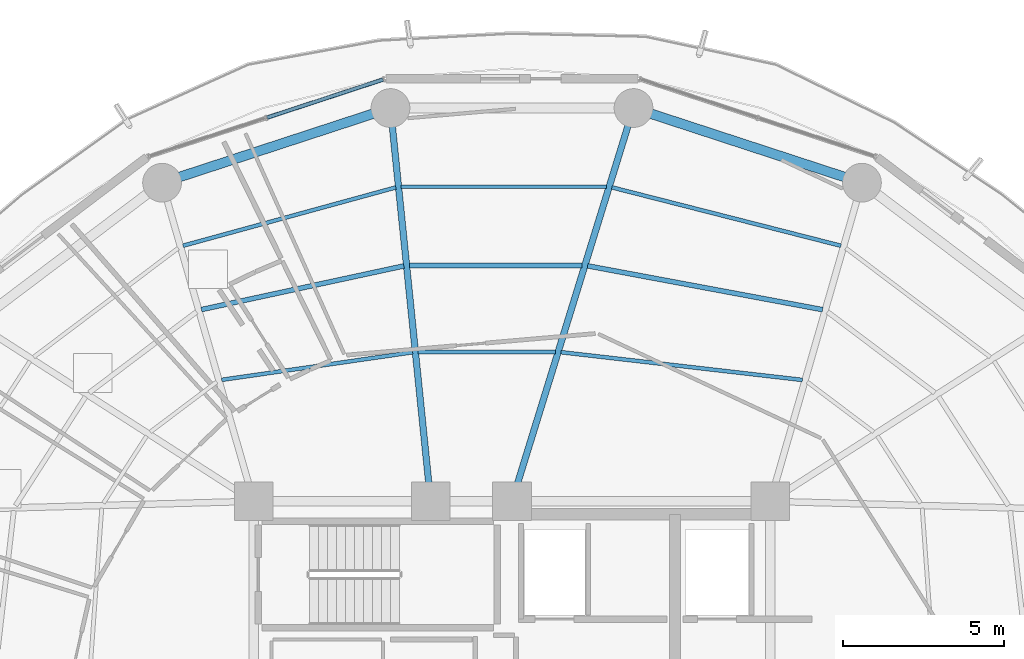
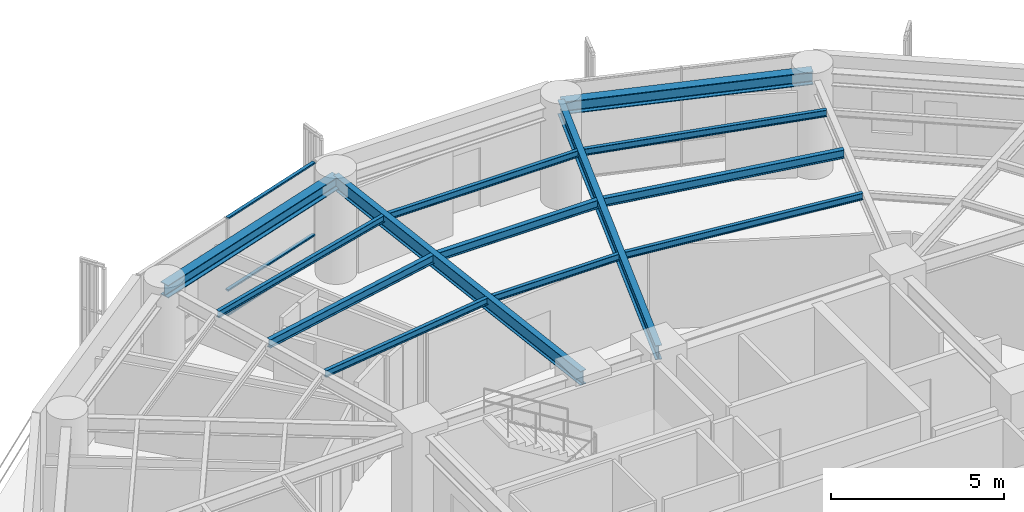
# One storey, part 17 of 28: 13 beams, 3 members, 1 element without a shape of its own.
"""IFC4 building model written with IfcOpenShell, lengths in metres."""

from ifc_helpers import new_model, si_unit, direction, frame, origin, origin_2d, place, context, subcontext, project, spatial, hollow_rectangle, i_section, extrude, material, layer, layer_set, material_profile, profile_set, type_object, element, aggregate, save


model = new_model("IFC4")

# Units and contexts
model_context = context("Model", 3, precision=1e-05, world=origin(), true_north=direction((0.0, 1.0)))
body_context = subcontext(model_context, "Body", "Model", "MODEL_VIEW")
ifc_project = project(units=[si_unit("LENGTHUNIT", "METRE"), si_unit("AREAUNIT", "SQUARE_METRE"), si_unit("VOLUMEUNIT", "CUBIC_METRE"), si_unit("PLANEANGLEUNIT", "RADIAN"), si_unit("MASSUNIT", "GRAM", prefix="KILO")], contexts=[model_context])

# Site, building, storey
site_placement = place(None, origin())
site = spatial("IfcSite", under=ifc_project, at=site_placement, CompositionType="ELEMENT")
building_placement = place(site_placement, origin())
building = spatial("IfcBuilding", under=site, at=building_placement, Name="Kelanora Arch Commons", CompositionType="ELEMENT")
storey_placement = place(building_placement, frame((0.0, 0.0, 180.60009765625)))
storey = spatial("IfcBuildingStorey", under=building, at=storey_placement, Name="L46", CompositionType="ELEMENT", Elevation=180.60009765625)

# Beams
ifc_material_1 = material(Name="Steel S355", Category="steel")
ifc_material_profile_1 = material_profile(ifc_material_1, i_section(OverallWidth=0.14990234375, OverallDepth=0.300048828125, WebThickness=0.007080078125, FlangeThickness=0.0107421875, FilletRadius=0.014892578125, at=origin_2d()), Name="IPE300")
ifc_profile_set_1 = profile_set([ifc_material_profile_1], Name="Steel S355")
beam_type_1 = type_object("IfcBeamType", Name="BM-JST-01", PredefinedType="JOIST", material=ifc_profile_set_1)
beam_1_placement = place(storey_placement, frame((83.620361328125, 70.937744140625, 3.33984375), z_axis=(-0.983054256126, 0.183314837134, 0.0), x_axis=(-0.183314837134, -0.983054256126, 0.0)))
element("IfcBeam", 1, at=beam_1_placement, inside=storey, type_object=beam_type_1, Name="Secondary Chord Joist BJB-06 L46", PredefinedType="JOIST", context=body_context, shape_type="SweptSolid", body=[
    extrude(i_section(OverallWidth=0.14990234375, OverallDepth=0.300048828125, WebThickness=0.007080078125, FlangeThickness=0.0107421875, FilletRadius=0.014892578125, at=origin_2d()), origin(), (0.0, 0.0, 1.0), 7.403564453125),
])
beam_2_placement = place(storey_placement, frame((76.173828125, 72.310546875, 3.33984375), z_axis=(-1.0, 0.0, 0.0), x_axis=(0.0, -1.0, 0.0)))
element("IfcBeam", 2, at=beam_2_placement, inside=storey, type_object=beam_type_1, Name="Secondary Chord Joist BJB-08 L46", PredefinedType="JOIST", context=body_context, shape_type="SweptSolid", body=[
    extrude(i_section(OverallWidth=0.14990234375, OverallDepth=0.300048828125, WebThickness=0.007080078125, FlangeThickness=0.0107421875, FilletRadius=0.014892578125, at=origin_2d()), origin(), (0.0, 0.0, 1.0), 5.355712890625),
])
beam_3_placement = place(storey_placement, frame((70.650146484375, 72.29248046875, 3.33984375), z_axis=(-0.977521966827, -0.210833594029, 0.0), x_axis=(0.210833594029, -0.977521966827, 0.0)))
element("IfcBeam", 3, at=beam_3_placement, inside=storey, type_object=beam_type_1, Name="Secondary Chord Joist BJB-10 L46", PredefinedType="JOIST", context=body_context, shape_type="SweptSolid", body=[
    extrude(i_section(OverallWidth=0.14990234375, OverallDepth=0.300048828125, WebThickness=0.007080078125, FlangeThickness=0.0107421875, FilletRadius=0.014892578125, at=origin_2d()), origin(), (0.0, 0.0, 1.0), 6.415283203125),
])
ifc_material_profile_2 = material_profile(ifc_material_1, i_section(OverallWidth=0.1201171875, OverallDepth=0.239990234375, WebThickness=0.006103515625, FlangeThickness=0.009765625, FilletRadius=0.014892578125, at=origin_2d()), Name="IPE240")
ifc_profile_set_2 = profile_set([ifc_material_profile_2], Name="Steel S355")
beam_type_2 = type_object("IfcBeamType", Name="BM-JST-02", PredefinedType="JOIST", material=ifc_profile_set_2)
beam_4_placement = place(storey_placement, frame((82.994873046875, 68.760498046875, 3.369873046875), z_axis=(-0.993457414184, 0.114203179475, 0.0), x_axis=(-0.114203179475, -0.993457414184, 0.0)))
element("IfcBeam", 4, at=beam_4_placement, inside=storey, type_object=beam_type_2, Name="Secondary Chord Joist BJA-06 L46", PredefinedType="JOIST", context=body_context, shape_type="SweptSolid", body=[
    extrude(i_section(OverallWidth=0.1201171875, OverallDepth=0.239990234375, WebThickness=0.006103515625, FlangeThickness=0.009765625, FilletRadius=0.014892578125, at=origin_2d()), origin(), (0.0, 0.0, 1.0), 7.529296875),
])
beam_5_placement = place(storey_placement, frame((84.189697265625, 72.917236328125, 3.369873046875), z_axis=(-0.96900232943, 0.247051584815, 0.0), x_axis=(-0.247051584815, -0.96900232943, 0.0)))
element("IfcBeam", 5, at=beam_5_placement, inside=storey, type_object=beam_type_2, Name="Secondary Chord Joist BJC-06 L46", PredefinedType="JOIST", context=body_context, shape_type="SweptSolid", body=[
    extrude(i_section(OverallWidth=0.1201171875, OverallDepth=0.239990234375, WebThickness=0.006103515625, FlangeThickness=0.009765625, FilletRadius=0.014892578125, at=origin_2d()), origin(), (0.0, 0.0, 1.0), 7.32275390625),
])
beam_6_placement = place(storey_placement, frame((75.345703125, 69.6298828125, 3.369873046875), z_axis=(-1.0, 0.0, 0.0), x_axis=(0.0, -1.0, 0.0)))
element("IfcBeam", 6, at=beam_6_placement, inside=storey, type_object=beam_type_2, Name="Secondary Chord Joist BJA-08 L46", PredefinedType="JOIST", context=body_context, shape_type="SweptSolid", body=[
    extrude(i_section(OverallWidth=0.1201171875, OverallDepth=0.239990234375, WebThickness=0.006103515625, FlangeThickness=0.009765625, FilletRadius=0.014892578125, at=origin_2d()), origin(), (0.0, 0.0, 1.0), 4.253662109375),
])
beam_7_placement = place(storey_placement, frame((76.9267578125, 74.747314453125, 3.369873046875), z_axis=(-1.0, 0.0, 0.0), x_axis=(0.0, -1.0, 0.0)))
element("IfcBeam", 7, at=beam_7_placement, inside=storey, type_object=beam_type_2, Name="Secondary Chord Joist BJC-08 L46", PredefinedType="JOIST", context=body_context, shape_type="SweptSolid", body=[
    extrude(i_section(OverallWidth=0.1201171875, OverallDepth=0.239990234375, WebThickness=0.006103515625, FlangeThickness=0.009765625, FilletRadius=0.014892578125, at=origin_2d()), origin(), (0.0, 0.0, 1.0), 6.357666015625),
])
beam_8_placement = place(storey_placement, frame((70.9228515625, 69.617919921875, 3.369873046875), z_axis=(-0.989718726051, -0.143027421508, 0.0), x_axis=(0.143027421508, -0.989718726051, 0.0)))
element("IfcBeam", 8, at=beam_8_placement, inside=storey, type_object=beam_type_2, Name="Secondary Chord Joist BJA-10 L46", PredefinedType="JOIST", context=body_context, shape_type="SweptSolid", body=[
    extrude(i_section(OverallWidth=0.1201171875, OverallDepth=0.239990234375, WebThickness=0.006103515625, FlangeThickness=0.009765625, FilletRadius=0.014892578125, at=origin_2d()), origin(), (0.0, 0.0, 1.0), 5.9794921875),
])
beam_9_placement = place(storey_placement, frame((70.40234375, 74.724853515625, 3.369873046875), z_axis=(-0.964456541131, -0.264241518824, 0.0), x_axis=(0.264241518824, -0.964456541131, 0.0)))
element("IfcBeam", 9, at=beam_9_placement, inside=storey, type_object=beam_type_2, Name="Secondary Chord Joist BJC-10 L46", PredefinedType="JOIST", context=body_context, shape_type="SweptSolid", body=[
    extrude(i_section(OverallWidth=0.1201171875, OverallDepth=0.239990234375, WebThickness=0.006103515625, FlangeThickness=0.009765625, FilletRadius=0.014892578125, at=origin_2d()), origin(), (0.0, 0.0, 1.0), 6.835205078125),
])
ifc_material_profile_3 = material_profile(ifc_material_1, i_section(OverallWidth=0.199951171875, OverallDepth=0.5, WebThickness=0.01025390625, FlangeThickness=0.01611328125, FilletRadius=0.02099609375, at=origin_2d()), Name="IPE500")
ifc_profile_set_3 = profile_set([ifc_material_profile_3], Name="Steel S355")
beam_type_3 = type_object("IfcBeamType", Name="BM-RAD-Z3", PredefinedType="BEAM", material=ifc_profile_set_3)
beam_10_placement = place(storey_placement, frame((74.0, 65.0, 3.239990234375), z_axis=(0.295210315095, 0.955432294755, 0.0), x_axis=(-0.955432294755, 0.295210315095, 0.0)))
element("IfcBeam", 10, at=beam_10_placement, inside=storey, type_object=beam_type_3, Name="Radial Floor Girder BR-08 L46", PredefinedType="BEAM", context=body_context, shape_type="SweptSolid", body=[
    extrude(i_section(OverallWidth=0.199951171875, OverallDepth=0.5, WebThickness=0.01025390625, FlangeThickness=0.01611328125, FilletRadius=0.02099609375, at=origin_2d()), origin(), (0.0, 0.0, 1.0), 12.75244140625),
])
beam_11_placement = place(storey_placement, frame((71.47998046875, 65.0, 3.239990234375), z_axis=(-0.101623200789, 0.994822961668, 0.0), x_axis=(-0.994822961668, -0.101623200789, 0.0)))
element("IfcBeam", 11, at=beam_11_placement, inside=storey, type_object=beam_type_3, Name="Radial Floor Girder BR-10 L46", PredefinedType="BEAM", context=body_context, shape_type="SweptSolid", body=[
    extrude(i_section(OverallWidth=0.199951171875, OverallDepth=0.5, WebThickness=0.01025390625, FlangeThickness=0.01611328125, FilletRadius=0.02099609375, at=origin_2d()), origin(), (0.0, 0.0, 1.0), 12.24755859375),
])
ifc_material_profile_4 = material_profile(ifc_material_1, i_section(OverallWidth=0.300048828125, OverallDepth=0.449951171875, WebThickness=0.013916015625, FlangeThickness=0.02587890625, FilletRadius=0.027099609375, at=origin_2d()), Name="HEB450")
ifc_profile_set_4 = profile_set([ifc_material_profile_4], Name="Steel S355")
beam_type_4 = type_object("IfcBeamType", Name="BM-SPN-Z3", PredefinedType="SPANDREL", material=ifc_profile_set_4)
for number, where, z_axis, x_axis, name in (
    (12, (84.840087890625, 74.8701171875, 3.264892578125), (-0.950461975786, 0.310840847676, 0.0), (-0.310840847676, -0.950461975786, 0.0), "Perimeter Spandrel Beam BS-06 L46"),
    (13, (70.2353515625, 77.18408203125, 3.264892578125), (-0.950461975786, -0.310840847676, 0.0), (0.310840847676, -0.950461975786, 0.0), "Perimeter Spandrel Beam BS-10 L46"),
):
    element("IfcBeam", number, at=place(storey_placement, frame(where, z_axis=z_axis, x_axis=x_axis)), inside=storey, type_object=beam_type_4, Name=name, PredefinedType="SPANDREL", context=body_context, shape_type="SweptSolid", body=[
        extrude(i_section(OverallWidth=0.300048828125, OverallDepth=0.449951171875, WebThickness=0.013916015625, FlangeThickness=0.02587890625, FilletRadius=0.027099609375, at=origin_2d()), origin(), (0.0, 0.0, 1.0), 7.444091796875),
    ])

# Curtain wall, members
ifc_material_2 = material(Name="Terracotta ceramic-fritted low-E glass and aluminium", Category="masonry")
ifc_layer = layer(ifc_material_2, 0.175048828125)
ifc_layer_set = layer_set([ifc_layer], Name="Terracotta ceramic-fritted low-E glass and aluminium")
curtain_wall_type = type_object("IfcCurtainWallType", Name="CW-SYS-02", PredefinedType="NOTDEFINED", material=ifc_layer_set)
curtain_wall_placement = place(storey_placement, origin())
curtain_wall = element("IfcCurtainWall", 14, at=curtain_wall_placement, inside=storey, type_object=curtain_wall_type, Name="Unitised Curtain Wall L46-B05", PredefinedType="NOTDEFINED")
ifc_material_3 = material(Name="Powder-coated aluminium terracotta", Category="masonry")
ifc_material_profile_5 = material_profile(ifc_material_3, hollow_rectangle(XDim=0.1201171875, YDim=0.06005859375, WallThickness=0.0048828125, InnerFilletRadius=0.0048828125, OuterFilletRadius=0.010009765625, at=origin_2d()), Name="CWT120x60")
ifc_profile_set_5 = profile_set([ifc_material_profile_5], Name="Powder-coated aluminium terracotta")
member_type = type_object("IfcMemberType", Name="CWT-STD", PredefinedType="USERDEFINED", material=ifc_profile_set_5)
member_1_placement = place(storey_placement, frame((70.00439453125, 78.066650390625, 0.02978515625), z_axis=(-0.950051191155, -0.312094111104, 0.0), x_axis=(0.312094111104, -0.950051191155, 0.0)))
member_1 = element("IfcMember", 15, at=member_1_placement, type_object=member_type, Name="CW-02 transom 1.1", ObjectType="TRANSOM", PredefinedType="USERDEFINED", context=body_context, shape_type="SweptSolid", body=[
    extrude(hollow_rectangle(XDim=0.1201171875, YDim=0.06005859375, WallThickness=0.0048828125, InnerFilletRadius=0.0048828125, OuterFilletRadius=0.010009765625, at=origin_2d()), origin(), (0.0, 0.0, 1.0), 3.77685546875),
])
member_2_placement = place(storey_placement, frame((70.00439453125, 78.066650390625, 0.89990234375), z_axis=(-0.950051191155, -0.312094111104, 0.0), x_axis=(0.312094111104, -0.950051191155, 0.0)))
member_2 = element("IfcMember", 16, at=member_2_placement, type_object=member_type, Name="CW-02 transom 1.2", ObjectType="TRANSOM", PredefinedType="USERDEFINED", context=body_context, shape_type="SweptSolid", body=[
    extrude(hollow_rectangle(XDim=0.1201171875, YDim=0.06005859375, WallThickness=0.0048828125, InnerFilletRadius=0.0048828125, OuterFilletRadius=0.010009765625, at=origin_2d()), origin(), (0.0, 0.0, 1.0), 3.77685546875),
])
member_3_placement = place(storey_placement, frame((70.00439453125, 78.066650390625, 3.44482421875), z_axis=(-0.950051191155, -0.312094111104, 0.0), x_axis=(0.312094111104, -0.950051191155, 0.0)))
member_3 = element("IfcMember", 17, at=member_3_placement, type_object=member_type, Name="CW-02 transom 1.3", ObjectType="TRANSOM", PredefinedType="USERDEFINED", context=body_context, shape_type="SweptSolid", body=[
    extrude(hollow_rectangle(XDim=0.1201171875, YDim=0.06005859375, WallThickness=0.0048828125, InnerFilletRadius=0.0048828125, OuterFilletRadius=0.010009765625, at=origin_2d()), origin(), (0.0, 0.0, 1.0), 3.77685546875),
])
aggregate(curtain_wall, [member_1, member_2, member_3])

save(model, "model.ifc")
